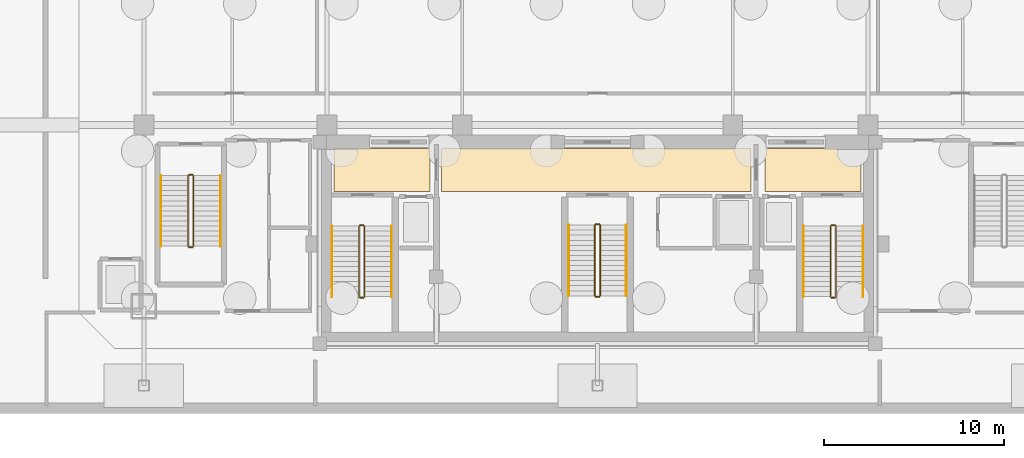
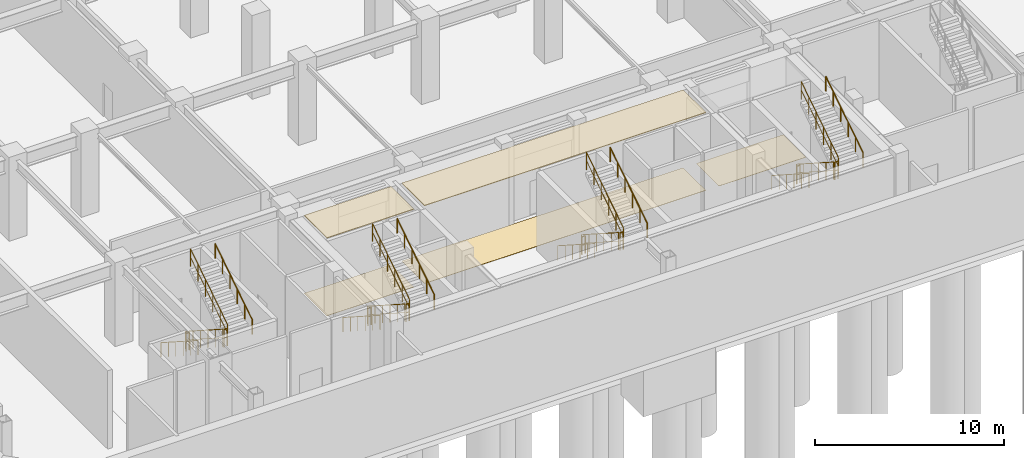
# One storey, part 8 of 10: 24 railings, 5 coverings.
"""IFC4 building model written with IfcOpenShell, lengths in metres."""

import ifcopenshell
import ifcopenshell.guid

model = None  # the IFC model being written
_history = None  # IfcOwnerHistory: only IFC2X3 demands one
_inside = {}  # id of a spatial element -> (the spatial element, [elements in it])
_under = {}  # id of a project, library or spatial element -> (it, [spatial elements below it])
_declared = {}  # id of a project -> (the project, [libraries it declares])
_typed = {}  # id of a type object -> (the type object, [elements of that type])
_made_of = {}  # id of a material, layer set ... -> (it, [elements and type objects made of it])


def new_model(schema):
    """Start an empty IFC model of exactly this schema.

    Asked for "IFC4X3", IfcOpenShell would pick the latest addendum, in which some entities
    have other attributes; the version numbers below select the first issue.
    IFC2X3 requires an IfcOwnerHistory on every rooted entity: one is made here for all.
    """
    global model, _history
    if schema == "IFC4X3":
        model = ifcopenshell.file(schema_version=(4, 3, 0, 0))
    else:
        model = ifcopenshell.file(schema=schema)
    _inside.clear()
    _under.clear()
    _declared.clear()
    _typed.clear()
    _made_of.clear()
    _history = None
    if model.schema == "IFC2X3":
        org = make("IfcOrganization", Name="unknown")
        user = make(
            "IfcPersonAndOrganization",
            ThePerson=make("IfcPerson", FamilyName="unknown"),
            TheOrganization=org,
        )
        app = make(
            "IfcApplication",
            ApplicationDeveloper=org,
            Version="unknown",
            ApplicationFullName="unknown",
            ApplicationIdentifier="unknown",
        )
        _history = make(
            "IfcOwnerHistory",
            OwningUser=user,
            OwningApplication=app,
            ChangeAction="ADDED",
            CreationDate=0,
        )
    return model


def make(cls, **values):
    """One entity of the class cls with the attributes given. An attribute that is None is left unset."""
    return model.create_entity(
        cls, **{name: value for name, value in values.items() if value is not None}
    )


def rooted(cls, **values):
    """An entity with a GlobalId (a new one), such as an element, a storey or a relation."""
    return make(cls, GlobalId=ifcopenshell.guid.new(), OwnerHistory=_history, **values)


def si_unit(unit_type, name, prefix=None):
    """IfcSIUnit, for example si_unit("LENGTHUNIT", "METRE", prefix="MILLI")."""
    return make("IfcSIUnit", UnitType=unit_type, Prefix=prefix, Name=name)


def assignment(units):
    """IfcUnitAssignment: the units of a project."""
    return None if units is None else make("IfcUnitAssignment", Units=units)


def point(xyz):
    """IfcCartesianPoint."""
    return None if xyz is None else make("IfcCartesianPoint", Coordinates=xyz)


def direction(xyz):
    """IfcDirection."""
    return None if xyz is None else make("IfcDirection", DirectionRatios=xyz)


def frame(location, z_axis=None, x_axis=None):
    """IfcAxis2Placement3D, a coordinate frame: its origin and axes. An axis left out is left unset."""
    return make(
        "IfcAxis2Placement3D",
        Location=point(location),
        Axis=direction(z_axis),
        RefDirection=direction(x_axis),
    )


def frame_2d(location, x_axis=None):
    """IfcAxis2Placement2D, a coordinate frame in the plane: its origin and x axis."""
    return make(
        "IfcAxis2Placement2D", Location=point(location), RefDirection=direction(x_axis)
    )


def origin():
    """The frame at (0, 0, 0) with its axes left unset."""
    return frame((0.0, 0.0, 0.0))


def origin_2d():
    """The frame at (0, 0) in the plane with its x axis left unset."""
    return frame_2d((0.0, 0.0))


def place(relative_to, where):
    """IfcLocalPlacement: puts the frame where relative to a parent placement (None: the world)."""
    return make(
        "IfcLocalPlacement", PlacementRelTo=relative_to, RelativePlacement=where
    )


def context(
    kind, dimensions, precision=None, world=None, true_north=None, identifier=None
):
    """IfcGeometricRepresentationContext, for example the 3D "Model" context."""
    return make(
        "IfcGeometricRepresentationContext",
        ContextIdentifier=identifier,
        ContextType=kind,
        CoordinateSpaceDimension=dimensions,
        Precision=precision,
        WorldCoordinateSystem=world,
        TrueNorth=true_north,
    )


def subcontext(parent, identifier, kind, view, scale=None):
    """IfcGeometricRepresentationSubContext, for example "Body" below "Model"."""
    return make(
        "IfcGeometricRepresentationSubContext",
        ContextIdentifier=identifier,
        ContextType=kind,
        ParentContext=parent,
        TargetScale=scale,
        TargetView=view,
    )


def project(units=None, contexts=None):
    """IfcProject with its units and contexts."""
    return rooted(
        "IfcProject",
        Name="project",
        RepresentationContexts=contexts,
        UnitsInContext=assignment(units),
    )


def spatial(cls, under=None, at=None, **own):
    """A site, building, storey or space (cls), placed at a placement, below another one or the project."""
    s = rooted(cls, ObjectPlacement=at, **own)
    if under is not None:
        _under.setdefault(under.id(), (under, []))[1].append(s)
    return s


def polyline(points):
    """IfcPolyline through the points."""
    return make("IfcPolyline", Points=[point(p) for p in points])


def profile(cls, at=None, kind="AREA", **sizes):
    """A parametric profile (cls). Its sizes go by their IFC names, for example OverallWidth=200.0."""
    return make(cls, ProfileType=kind, Position=at, **sizes)


def circle(**sizes):
    """IfcCircleProfileDef."""
    return profile("IfcCircleProfileDef", **sizes)


def outline(outer, holes=None, kind="AREA"):
    """IfcArbitraryClosedProfileDef: a profile drawn as a closed curve; with holes, ...WithVoids."""
    if holes is None:
        return make("IfcArbitraryClosedProfileDef", ProfileType=kind, OuterCurve=outer)
    return make(
        "IfcArbitraryProfileDefWithVoids",
        ProfileType=kind,
        OuterCurve=outer,
        InnerCurves=holes,
    )


def extrude(swept, where, along, depth):
    """IfcExtrudedAreaSolid: the profile swept, set in the frame where, extruded along a direction by depth."""
    return make(
        "IfcExtrudedAreaSolid",
        SweptArea=swept,
        Position=where,
        ExtrudedDirection=direction(along),
        Depth=depth,
    )


def shape(context_of_items, identifier, shape_type, items):
    """IfcShapeRepresentation: the items that make up one representation, for example the "Body"."""
    return make(
        "IfcShapeRepresentation",
        ContextOfItems=context_of_items,
        RepresentationIdentifier=identifier,
        RepresentationType=shape_type,
        Items=items,
    )


def material(Name=None, Category=None):
    """IfcMaterial."""
    return make("IfcMaterial", Name=Name, Category=Category)


def layer(
    of_material, thickness, ventilated=None, Name=None, Category=None, Priority=None
):
    """IfcMaterialLayer: one layer of a wall or slab, of a material (None: an air gap)."""
    return make(
        "IfcMaterialLayer",
        Material=of_material,
        LayerThickness=thickness,
        IsVentilated=ventilated,
        Name=Name,
        Category=Category,
        Priority=Priority,
    )


def layer_set(layers, Name=None):
    """IfcMaterialLayerSet."""
    return make("IfcMaterialLayerSet", MaterialLayers=layers, LayerSetName=Name)


def made_of(thing, what):
    """Note that an element or type object is made of a material, layer set ...; save() writes the relation."""
    if what is not None:
        _made_of.setdefault(what.id(), (what, []))[1].append(thing)
    return thing


def type_object(cls, material=None, **own):
    """A type object (cls), such as IfcWallType, which elements share."""
    return made_of(rooted(cls, **own), material)


def element(
    cls,
    number,
    at=None,
    inside=None,
    cuts=None,
    type_object=None,
    material=None,
    context=None,
    identifier="Body",
    shape_type=None,
    held_by="IfcProductDefinitionShape",
    body=None,
    shapes=None,
    **own,
):
    """One element of the class cls, such as IfcWall. Its Tag is "e" and its number.

    at: its placement. inside: the storey or other place that contains it. cuts: it is an
    opening in that element (IfcRelVoidsElement). A single representation is given by context,
    identifier, shape_type and body (its items); several are given by shapes. held_by: the class
    of the entity that holds the representations. save() writes the other relations.
    """
    e = rooted(cls, Tag="e%d" % number, ObjectPlacement=at, **own)
    if body is not None:
        shapes = [shape(context, identifier, shape_type, body)]
    if shapes is not None:
        e.Representation = make(held_by, Representations=shapes)
    if inside is not None:
        _inside.setdefault(inside.id(), (inside, []))[1].append(e)
    if cuts is not None:
        rooted(
            "IfcRelVoidsElement", RelatingBuildingElement=cuts, RelatedOpeningElement=e
        )
    if type_object is not None:
        _typed.setdefault(type_object.id(), (type_object, []))[1].append(e)
    return made_of(e, material)


def aggregate(whole, parts):
    """IfcRelAggregates: a whole, such as a stair, and the parts it consists of."""
    return rooted("IfcRelAggregates", RelatingObject=whole, RelatedObjects=parts)


def save(model, path):
    """Write the relations noted so far, then the file.

    IfcRelAggregates (storeys below a building ...), IfcRelContainedInSpatialStructure (elements
    in a storey), IfcRelDefinesByType, IfcRelAssociatesMaterial and IfcRelDeclares: one each for
    every whole, place, type object, material and project.
    """
    for whole, parts in _under.values():
        aggregate(whole, parts)
    for where, things in _inside.values():
        rooted(
            "IfcRelContainedInSpatialStructure",
            RelatedElements=things,
            RelatingStructure=where,
        )
    for kind, things in _typed.values():
        rooted("IfcRelDefinesByType", RelatedObjects=things, RelatingType=kind)
    for what, things in _made_of.values():
        rooted("IfcRelAssociatesMaterial", RelatedObjects=things, RelatingMaterial=what)
    for by, libraries in _declared.values():
        rooted("IfcRelDeclares", RelatingContext=by, RelatedDefinitions=libraries)
    model.write(path)


model = new_model("IFC4")

# Units and contexts
model_context = context("Model", 3, precision=1e-05, world=origin(), true_north=direction((0.0, 1.0)))
body_context = subcontext(model_context, "Body", "Model", "MODEL_VIEW")
ifc_project = project(units=[si_unit("LENGTHUNIT", "METRE"), si_unit("AREAUNIT", "SQUARE_METRE"), si_unit("VOLUMEUNIT", "CUBIC_METRE"), si_unit("PLANEANGLEUNIT", "RADIAN"), si_unit("MASSUNIT", "GRAM", prefix="KILO")], contexts=[model_context])

# Site, building, storey
site_placement = place(None, origin())
site = spatial("IfcSite", under=ifc_project, at=site_placement, CompositionType="ELEMENT")
building_placement = place(site_placement, origin())
building = spatial("IfcBuilding", under=site, at=building_placement, Name="Ventersveld Concourse Tower", CompositionType="ELEMENT")
storey_placement = place(building_placement, frame((0.0, 0.0, -10.800048828125)))
storey = spatial("IfcBuildingStorey", under=building, at=storey_placement, Name="B02", CompositionType="ELEMENT", Elevation=-10.800048828125)

# Coverings
ifc_material_1 = material(Name="Mineral-fibre acoustic ceiling tile", Category="gypsum")
ifc_layer_1 = layer(ifc_material_1, 0.0400390625)
ifc_layer_set_1 = layer_set([ifc_layer_1], Name="Mineral-fibre acoustic ceiling tile")
covering_type_1 = type_object("IfcCoveringType", Name="COV-CEIL-ACOUSTIC", PredefinedType="CEILING", material=ifc_layer_set_1)
covering_1_placement = place(storey_placement, frame((0.0, 0.0, 5.010009765625)))
element("IfcCovering", 1, at=covering_1_placement, inside=storey, type_object=covering_type_1, Name="B02 North Lift Lobby Acoustic Ceiling", PredefinedType="CEILING", context=body_context, shape_type="SweptSolid", body=[
    extrude(outline(polyline([(20.10009765625, 8.699951171875), (37.25, 8.699951171875), (37.25, 11.10009765625), (20.10009765625, 11.10009765625), (20.10009765625, 8.699951171875)])), origin(), (0.0, 0.0, 1.0), 0.0400390625),
])
covering_2_placement = place(storey_placement, frame((0.0, 0.0, 5.010009765625)))
element("IfcCovering", 2, at=covering_2_placement, inside=storey, type_object=covering_type_1, Name="B02 West Firefighting Lobby Acoustic Ceiling", PredefinedType="CEILING", context=body_context, shape_type="SweptSolid", body=[
    extrude(outline(polyline([(14.14990234375, 8.699951171875), (19.449951171875, 8.699951171875), (19.449951171875, 11.10009765625), (14.14990234375, 11.10009765625), (14.14990234375, 8.699951171875)])), origin(), (0.0, 0.0, 1.0), 0.0400390625),
])
ifc_material_2 = material(Name="Polished Highveld granite terrazzo", Category="masonry")
ifc_layer_2 = layer(ifc_material_2, 0.02001953125)
ifc_layer_set_2 = layer_set([ifc_layer_2], Name="Polished Highveld granite terrazzo")
covering_type_2 = type_object("IfcCoveringType", Name="COV-FLOOR-TERRAZZO", PredefinedType="FLOORING", material=ifc_layer_set_2)
covering_3_placement = place(storey_placement, origin())
element("IfcCovering", 3, at=covering_3_placement, inside=storey, type_object=covering_type_2, Name="B02 North Lift Lobby Terrazzo Flooring", PredefinedType="FLOORING", context=body_context, shape_type="SweptSolid", body=[
    extrude(outline(polyline([(20.10009765625, 8.699951171875), (37.25, 8.699951171875), (37.25, 11.10009765625), (20.10009765625, 11.10009765625), (20.10009765625, 8.699951171875)])), origin(), (0.0, 0.0, 1.0), 0.02001953125),
])
covering_4_placement = place(storey_placement, origin())
element("IfcCovering", 4, at=covering_4_placement, inside=storey, type_object=covering_type_2, Name="B02 West Firefighting Lobby Terrazzo Flooring", PredefinedType="FLOORING", context=body_context, shape_type="SweptSolid", body=[
    extrude(outline(polyline([(14.14990234375, 8.699951171875), (19.449951171875, 8.699951171875), (19.449951171875, 11.10009765625), (14.14990234375, 11.10009765625), (14.14990234375, 8.699951171875)])), origin(), (0.0, 0.0, 1.0), 0.02001953125),
])
covering_5_placement = place(storey_placement, origin())
element("IfcCovering", 5, at=covering_5_placement, inside=storey, type_object=covering_type_2, Name="B02 East Firefighting Lobby Terrazzo Flooring", PredefinedType="FLOORING", context=body_context, shape_type="SweptSolid", body=[
    extrude(outline(polyline([(38.050048828125, 8.699951171875), (43.35009765625, 8.699951171875), (43.35009765625, 11.10009765625), (38.050048828125, 11.10009765625), (38.050048828125, 8.699951171875)])), origin(), (0.0, 0.0, 1.0), 0.02001953125),
])

# Railings
ifc_material_3 = material(Name="Brushed stainless steel 316", Category="steel")
railing_type_1 = type_object("IfcRailingType", Name="GD-BAL-115", PredefinedType="GUARDRAIL", material=ifc_material_3)
railing_1_placement = place(storey_placement, frame((15.530029296875, 6.800048828125, 0.179931640625)))
element("IfcRailing", 6, at=railing_1_placement, inside=storey, type_object=railing_type_1, Name="B02 ST-01 stair guard 1", PredefinedType="GUARDRAIL", context=body_context, shape_type="SweptSolid", body=[
    extrude(circle(Radius=0.02392578125, at=origin_2d()), frame((0.0, 0.0, 1.1259765625), z_axis=(0.0, -0.841186985886, 0.540744352514), x_axis=(1.0, 0.0, 0.0)), (0.0, 0.0, 1.0), 4.660400390625),
    extrude(circle(Radius=0.01611328125, at=origin_2d()), frame((0.0, 0.0, 0.574951171875), z_axis=(0.0, -0.841186985886, 0.540744352514), x_axis=(1.0, 0.0, 0.0)), (0.0, 0.0, 1.0), 4.660400390625),
    extrude(circle(Radius=0.02099609375, at=origin_2d()), origin(), (0.0, 0.0, 1.0), 1.101806640625),
    extrude(circle(Radius=0.02099609375, at=origin_2d()), frame((0.0, -0.783935546875, 0.50390625)), (0.0, 0.0, 1.0), 1.101806640625),
    extrude(circle(Radius=0.02099609375, at=origin_2d()), frame((0.0, -1.568115234375, 1.008056640625)), (0.0, 0.0, 1.0), 1.101806640625),
    extrude(circle(Radius=0.02099609375, at=origin_2d()), frame((0.0, -2.35205078125, 1.511962890625)), (0.0, 0.0, 1.0), 1.101806640625),
    extrude(circle(Radius=0.02099609375, at=origin_2d()), frame((0.0, -3.13623046875, 2.01611328125)), (0.0, 0.0, 1.0), 1.101806640625),
    extrude(circle(Radius=0.02099609375, at=origin_2d()), frame((0.0, -3.920166015625, 2.52001953125)), (0.0, 0.0, 1.0), 1.101806640625),
])
railing_2_placement = place(storey_placement, frame((15.580078125, 2.830078125, 2.699951171875)))
element("IfcRailing", 7, at=railing_2_placement, inside=storey, type_object=railing_type_1, Name="B02 ST-01 stair guard 2", PredefinedType="GUARDRAIL", context=body_context, shape_type="SweptSolid", body=[
    extrude(circle(Radius=0.02392578125, at=origin_2d()), frame((0.0, 0.0, 1.1259765625), z_axis=(1.0, 0.0, 0.0), x_axis=(0.0, 1.0, 0.0)), (0.0, 0.0, 1.0), 0.199951171875),
    extrude(circle(Radius=0.01611328125, at=origin_2d()), frame((0.0, 0.0, 0.574951171875), z_axis=(1.0, 0.0, 0.0), x_axis=(0.0, 1.0, 0.0)), (0.0, 0.0, 1.0), 0.199951171875),
    extrude(circle(Radius=0.02099609375, at=origin_2d()), origin(), (0.0, 0.0, 1.0), 1.101806640625),
    extrude(circle(Radius=0.02099609375, at=origin_2d()), frame((0.199951171875, 0.0, 0.0)), (0.0, 0.0, 1.0), 1.101806640625),
])
railing_3_placement = place(storey_placement, frame((15.830078125, 2.8798828125, 2.880126953125)))
element("IfcRailing", 8, at=railing_3_placement, inside=storey, type_object=railing_type_1, Name="B02 ST-01 stair guard 3", PredefinedType="GUARDRAIL", context=body_context, shape_type="SweptSolid", body=[
    extrude(circle(Radius=0.02392578125, at=origin_2d()), frame((0.0, 0.0, 1.1259765625), z_axis=(0.0, 0.841186985886, 0.540744352514), x_axis=(-1.0, 0.0, 0.0)), (0.0, 0.0, 1.0), 4.660400390625),
    extrude(circle(Radius=0.01611328125, at=origin_2d()), frame((0.0, 0.0, 0.574951171875), z_axis=(0.0, 0.841186985886, 0.540744352514), x_axis=(-1.0, 0.0, 0.0)), (0.0, 0.0, 1.0), 4.660400390625),
    extrude(circle(Radius=0.02099609375, at=origin_2d()), origin(), (0.0, 0.0, 1.0), 1.101806640625),
    extrude(circle(Radius=0.02099609375, at=origin_2d()), frame((0.0, 0.783935546875, 0.50390625)), (0.0, 0.0, 1.0), 1.101806640625),
    extrude(circle(Radius=0.02099609375, at=origin_2d()), frame((0.0, 1.568115234375, 1.008056640625)), (0.0, 0.0, 1.0), 1.101806640625),
    extrude(circle(Radius=0.02099609375, at=origin_2d()), frame((0.0, 2.35205078125, 1.511962890625)), (0.0, 0.0, 1.0), 1.101806640625),
    extrude(circle(Radius=0.02099609375, at=origin_2d()), frame((0.0, 3.13623046875, 2.01611328125)), (0.0, 0.0, 1.0), 1.101806640625),
    extrude(circle(Radius=0.02099609375, at=origin_2d()), frame((0.0, 3.920166015625, 2.52001953125)), (0.0, 0.0, 1.0), 1.101806640625),
])
railing_4_placement = place(storey_placement, frame((15.580078125, 6.85009765625, 0.0)))
element("IfcRailing", 9, at=railing_4_placement, inside=storey, type_object=railing_type_1, Name="B02 ST-01 stair guard 4", PredefinedType="GUARDRAIL", context=body_context, shape_type="SweptSolid", body=[
    extrude(circle(Radius=0.02392578125, at=origin_2d()), frame((0.0, 0.0, 1.1259765625), z_axis=(1.0, 0.0, 0.0), x_axis=(0.0, 1.0, 0.0)), (0.0, 0.0, 1.0), 0.199951171875),
    extrude(circle(Radius=0.01611328125, at=origin_2d()), frame((0.0, 0.0, 0.574951171875), z_axis=(1.0, 0.0, 0.0), x_axis=(0.0, 1.0, 0.0)), (0.0, 0.0, 1.0), 0.199951171875),
    extrude(circle(Radius=0.02099609375, at=origin_2d()), origin(), (0.0, 0.0, 1.0), 1.101806640625),
    extrude(circle(Radius=0.02099609375, at=origin_2d()), frame((0.199951171875, 0.0, 0.0)), (0.0, 0.0, 1.0), 1.101806640625),
])
railing_5_placement = place(storey_placement, frame((41.669921875, 6.800048828125, 0.179931640625)))
element("IfcRailing", 10, at=railing_5_placement, inside=storey, type_object=railing_type_1, Name="B02 ST-02 stair guard 1", PredefinedType="GUARDRAIL", context=body_context, shape_type="SweptSolid", body=[
    extrude(circle(Radius=0.02392578125, at=origin_2d()), frame((0.0, 0.0, 1.1259765625), z_axis=(0.0, -0.841186985886, 0.540744352514), x_axis=(1.0, 0.0, 0.0)), (0.0, 0.0, 1.0), 4.660400390625),
    extrude(circle(Radius=0.01611328125, at=origin_2d()), frame((0.0, 0.0, 0.574951171875), z_axis=(0.0, -0.841186985886, 0.540744352514), x_axis=(1.0, 0.0, 0.0)), (0.0, 0.0, 1.0), 4.660400390625),
    extrude(circle(Radius=0.02099609375, at=origin_2d()), origin(), (0.0, 0.0, 1.0), 1.101806640625),
    extrude(circle(Radius=0.02099609375, at=origin_2d()), frame((0.0, -0.783935546875, 0.50390625)), (0.0, 0.0, 1.0), 1.101806640625),
    extrude(circle(Radius=0.02099609375, at=origin_2d()), frame((0.0, -1.568115234375, 1.008056640625)), (0.0, 0.0, 1.0), 1.101806640625),
    extrude(circle(Radius=0.02099609375, at=origin_2d()), frame((0.0, -2.35205078125, 1.511962890625)), (0.0, 0.0, 1.0), 1.101806640625),
    extrude(circle(Radius=0.02099609375, at=origin_2d()), frame((0.0, -3.13623046875, 2.01611328125)), (0.0, 0.0, 1.0), 1.101806640625),
    extrude(circle(Radius=0.02099609375, at=origin_2d()), frame((0.0, -3.920166015625, 2.52001953125)), (0.0, 0.0, 1.0), 1.101806640625),
])
railing_6_placement = place(storey_placement, frame((41.719970703125, 2.830078125, 2.699951171875)))
element("IfcRailing", 11, at=railing_6_placement, inside=storey, type_object=railing_type_1, Name="B02 ST-02 stair guard 2", PredefinedType="GUARDRAIL", context=body_context, shape_type="SweptSolid", body=[
    extrude(circle(Radius=0.02392578125, at=origin_2d()), frame((0.0, 0.0, 1.1259765625), z_axis=(1.0, 0.0, 0.0), x_axis=(0.0, 1.0, 0.0)), (0.0, 0.0, 1.0), 0.199951171875),
    extrude(circle(Radius=0.01611328125, at=origin_2d()), frame((0.0, 0.0, 0.574951171875), z_axis=(1.0, 0.0, 0.0), x_axis=(0.0, 1.0, 0.0)), (0.0, 0.0, 1.0), 0.199951171875),
    extrude(circle(Radius=0.02099609375, at=origin_2d()), origin(), (0.0, 0.0, 1.0), 1.101806640625),
    extrude(circle(Radius=0.02099609375, at=origin_2d()), frame((0.199951171875, 0.0, 0.0)), (0.0, 0.0, 1.0), 1.101806640625),
])
railing_7_placement = place(storey_placement, frame((41.969970703125, 2.8798828125, 2.880126953125)))
element("IfcRailing", 12, at=railing_7_placement, inside=storey, type_object=railing_type_1, Name="B02 ST-02 stair guard 3", PredefinedType="GUARDRAIL", context=body_context, shape_type="SweptSolid", body=[
    extrude(circle(Radius=0.02392578125, at=origin_2d()), frame((0.0, 0.0, 1.1259765625), z_axis=(0.0, 0.841186985886, 0.540744352514), x_axis=(-1.0, 0.0, 0.0)), (0.0, 0.0, 1.0), 4.660400390625),
    extrude(circle(Radius=0.01611328125, at=origin_2d()), frame((0.0, 0.0, 0.574951171875), z_axis=(0.0, 0.841186985886, 0.540744352514), x_axis=(-1.0, 0.0, 0.0)), (0.0, 0.0, 1.0), 4.660400390625),
    extrude(circle(Radius=0.02099609375, at=origin_2d()), origin(), (0.0, 0.0, 1.0), 1.101806640625),
    extrude(circle(Radius=0.02099609375, at=origin_2d()), frame((0.0, 0.783935546875, 0.50390625)), (0.0, 0.0, 1.0), 1.101806640625),
    extrude(circle(Radius=0.02099609375, at=origin_2d()), frame((0.0, 1.568115234375, 1.008056640625)), (0.0, 0.0, 1.0), 1.101806640625),
    extrude(circle(Radius=0.02099609375, at=origin_2d()), frame((0.0, 2.35205078125, 1.511962890625)), (0.0, 0.0, 1.0), 1.101806640625),
    extrude(circle(Radius=0.02099609375, at=origin_2d()), frame((0.0, 3.13623046875, 2.01611328125)), (0.0, 0.0, 1.0), 1.101806640625),
    extrude(circle(Radius=0.02099609375, at=origin_2d()), frame((0.0, 3.920166015625, 2.52001953125)), (0.0, 0.0, 1.0), 1.101806640625),
])
railing_8_placement = place(storey_placement, frame((41.719970703125, 6.85009765625, 0.0)))
element("IfcRailing", 13, at=railing_8_placement, inside=storey, type_object=railing_type_1, Name="B02 ST-02 stair guard 4", PredefinedType="GUARDRAIL", context=body_context, shape_type="SweptSolid", body=[
    extrude(circle(Radius=0.02392578125, at=origin_2d()), frame((0.0, 0.0, 1.1259765625), z_axis=(1.0, 0.0, 0.0), x_axis=(0.0, 1.0, 0.0)), (0.0, 0.0, 1.0), 0.199951171875),
    extrude(circle(Radius=0.01611328125, at=origin_2d()), frame((0.0, 0.0, 0.574951171875), z_axis=(1.0, 0.0, 0.0), x_axis=(0.0, 1.0, 0.0)), (0.0, 0.0, 1.0), 0.199951171875),
    extrude(circle(Radius=0.02099609375, at=origin_2d()), origin(), (0.0, 0.0, 1.0), 1.101806640625),
    extrude(circle(Radius=0.02099609375, at=origin_2d()), frame((0.199951171875, 0.0, 0.0)), (0.0, 0.0, 1.0), 1.101806640625),
])
railing_9_placement = place(storey_placement, frame((28.60009765625, 6.85009765625, 0.179931640625)))
element("IfcRailing", 14, at=railing_9_placement, inside=storey, type_object=railing_type_1, Name="B02 ST-03 stair guard 1", PredefinedType="GUARDRAIL", context=body_context, shape_type="SweptSolid", body=[
    extrude(circle(Radius=0.02392578125, at=origin_2d()), frame((0.0, 0.0, 1.1259765625), z_axis=(0.0, -0.841186985886, 0.540744352514), x_axis=(1.0, 0.0, 0.0)), (0.0, 0.0, 1.0), 4.660400390625),
    extrude(circle(Radius=0.01611328125, at=origin_2d()), frame((0.0, 0.0, 0.574951171875), z_axis=(0.0, -0.841186985886, 0.540744352514), x_axis=(1.0, 0.0, 0.0)), (0.0, 0.0, 1.0), 4.660400390625),
    extrude(circle(Radius=0.02099609375, at=origin_2d()), origin(), (0.0, 0.0, 1.0), 1.101806640625),
    extrude(circle(Radius=0.02099609375, at=origin_2d()), frame((0.0, -0.783935546875, 0.50390625)), (0.0, 0.0, 1.0), 1.101806640625),
    extrude(circle(Radius=0.02099609375, at=origin_2d()), frame((0.0, -1.568115234375, 1.008056640625)), (0.0, 0.0, 1.0), 1.101806640625),
    extrude(circle(Radius=0.02099609375, at=origin_2d()), frame((0.0, -2.35205078125, 1.511962890625)), (0.0, 0.0, 1.0), 1.101806640625),
    extrude(circle(Radius=0.02099609375, at=origin_2d()), frame((0.0, -3.13623046875, 2.01611328125)), (0.0, 0.0, 1.0), 1.101806640625),
    extrude(circle(Radius=0.02099609375, at=origin_2d()), frame((0.0, -3.920166015625, 2.52001953125)), (0.0, 0.0, 1.0), 1.101806640625),
])
railing_10_placement = place(storey_placement, frame((28.64990234375, 2.8798828125, 2.699951171875)))
element("IfcRailing", 15, at=railing_10_placement, inside=storey, type_object=railing_type_1, Name="B02 ST-03 stair guard 2", PredefinedType="GUARDRAIL", context=body_context, shape_type="SweptSolid", body=[
    extrude(circle(Radius=0.02392578125, at=origin_2d()), frame((0.0, 0.0, 1.1259765625), z_axis=(1.0, 0.0, 0.0), x_axis=(0.0, 1.0, 0.0)), (0.0, 0.0, 1.0), 0.2001953125),
    extrude(circle(Radius=0.01611328125, at=origin_2d()), frame((0.0, 0.0, 0.574951171875), z_axis=(1.0, 0.0, 0.0), x_axis=(0.0, 1.0, 0.0)), (0.0, 0.0, 1.0), 0.2001953125),
    extrude(circle(Radius=0.02099609375, at=origin_2d()), origin(), (0.0, 0.0, 1.0), 1.101806640625),
    extrude(circle(Radius=0.02099609375, at=origin_2d()), frame((0.2001953125, 0.0, 0.0)), (0.0, 0.0, 1.0), 1.101806640625),
])
railing_11_placement = place(storey_placement, frame((28.89990234375, 2.929931640625, 2.880126953125)))
element("IfcRailing", 16, at=railing_11_placement, inside=storey, type_object=railing_type_1, Name="B02 ST-03 stair guard 3", PredefinedType="GUARDRAIL", context=body_context, shape_type="SweptSolid", body=[
    extrude(circle(Radius=0.02392578125, at=origin_2d()), frame((0.0, 0.0, 1.1259765625), z_axis=(0.0, 0.841186985886, 0.540744352514), x_axis=(-1.0, 0.0, 0.0)), (0.0, 0.0, 1.0), 4.660400390625),
    extrude(circle(Radius=0.01611328125, at=origin_2d()), frame((0.0, 0.0, 0.574951171875), z_axis=(0.0, 0.841186985886, 0.540744352514), x_axis=(-1.0, 0.0, 0.0)), (0.0, 0.0, 1.0), 4.660400390625),
    extrude(circle(Radius=0.02099609375, at=origin_2d()), origin(), (0.0, 0.0, 1.0), 1.101806640625),
    extrude(circle(Radius=0.02099609375, at=origin_2d()), frame((0.0, 0.783935546875, 0.50390625)), (0.0, 0.0, 1.0), 1.101806640625),
    extrude(circle(Radius=0.02099609375, at=origin_2d()), frame((0.0, 1.568115234375, 1.008056640625)), (0.0, 0.0, 1.0), 1.101806640625),
    extrude(circle(Radius=0.02099609375, at=origin_2d()), frame((0.0, 2.35205078125, 1.511962890625)), (0.0, 0.0, 1.0), 1.101806640625),
    extrude(circle(Radius=0.02099609375, at=origin_2d()), frame((0.0, 3.13623046875, 2.01611328125)), (0.0, 0.0, 1.0), 1.101806640625),
    extrude(circle(Radius=0.02099609375, at=origin_2d()), frame((0.0, 3.920166015625, 2.52001953125)), (0.0, 0.0, 1.0), 1.101806640625),
])
railing_12_placement = place(storey_placement, frame((28.64990234375, 6.89990234375, 0.0)))
element("IfcRailing", 17, at=railing_12_placement, inside=storey, type_object=railing_type_1, Name="B02 ST-03 stair guard 4", PredefinedType="GUARDRAIL", context=body_context, shape_type="SweptSolid", body=[
    extrude(circle(Radius=0.02392578125, at=origin_2d()), frame((0.0, 0.0, 1.1259765625), z_axis=(1.0, 0.0, 0.0), x_axis=(0.0, 1.0, 0.0)), (0.0, 0.0, 1.0), 0.2001953125),
    extrude(circle(Radius=0.01611328125, at=origin_2d()), frame((0.0, 0.0, 0.574951171875), z_axis=(1.0, 0.0, 0.0), x_axis=(0.0, 1.0, 0.0)), (0.0, 0.0, 1.0), 0.2001953125),
    extrude(circle(Radius=0.02099609375, at=origin_2d()), origin(), (0.0, 0.0, 1.0), 1.101806640625),
    extrude(circle(Radius=0.02099609375, at=origin_2d()), frame((0.2001953125, 0.0, 0.0)), (0.0, 0.0, 1.0), 1.101806640625),
])
railing_13_placement = place(storey_placement, frame((6.050048828125, 9.60009765625, 0.179931640625)))
element("IfcRailing", 18, at=railing_13_placement, inside=storey, type_object=railing_type_1, Name="B02 ST-04 stair guard 1", PredefinedType="GUARDRAIL", context=body_context, shape_type="SweptSolid", body=[
    extrude(circle(Radius=0.02392578125, at=origin_2d()), frame((0.0, 0.0, 1.1259765625), z_axis=(0.0, -0.841186985886, 0.540744352514), x_axis=(1.0, 0.0, 0.0)), (0.0, 0.0, 1.0), 4.660400390625),
    extrude(circle(Radius=0.01611328125, at=origin_2d()), frame((0.0, 0.0, 0.574951171875), z_axis=(0.0, -0.841186985886, 0.540744352514), x_axis=(1.0, 0.0, 0.0)), (0.0, 0.0, 1.0), 4.660400390625),
    extrude(circle(Radius=0.02099609375, at=origin_2d()), origin(), (0.0, 0.0, 1.0), 1.101806640625),
    extrude(circle(Radius=0.02099609375, at=origin_2d()), frame((0.0, -0.783935546875, 0.50390625)), (0.0, 0.0, 1.0), 1.101806640625),
    extrude(circle(Radius=0.02099609375, at=origin_2d()), frame((0.0, -1.568115234375, 1.008056640625)), (0.0, 0.0, 1.0), 1.101806640625),
    extrude(circle(Radius=0.02099609375, at=origin_2d()), frame((0.0, -2.35205078125, 1.511962890625)), (0.0, 0.0, 1.0), 1.101806640625),
    extrude(circle(Radius=0.02099609375, at=origin_2d()), frame((0.0, -3.13623046875, 2.01611328125)), (0.0, 0.0, 1.0), 1.101806640625),
    extrude(circle(Radius=0.02099609375, at=origin_2d()), frame((0.0, -3.920166015625, 2.52001953125)), (0.0, 0.0, 1.0), 1.101806640625),
])
railing_14_placement = place(storey_placement, frame((6.10009765625, 5.6298828125, 2.699951171875)))
element("IfcRailing", 19, at=railing_14_placement, inside=storey, type_object=railing_type_1, Name="B02 ST-04 stair guard 2", PredefinedType="GUARDRAIL", context=body_context, shape_type="SweptSolid", body=[
    extrude(circle(Radius=0.02392578125, at=origin_2d()), frame((0.0, 0.0, 1.1259765625), z_axis=(1.0, 0.0, 0.0), x_axis=(0.0, 1.0, 0.0)), (0.0, 0.0, 1.0), 0.199951171875),
    extrude(circle(Radius=0.01611328125, at=origin_2d()), frame((0.0, 0.0, 0.574951171875), z_axis=(1.0, 0.0, 0.0), x_axis=(0.0, 1.0, 0.0)), (0.0, 0.0, 1.0), 0.199951171875),
    extrude(circle(Radius=0.02099609375, at=origin_2d()), origin(), (0.0, 0.0, 1.0), 1.101806640625),
    extrude(circle(Radius=0.02099609375, at=origin_2d()), frame((0.199951171875, 0.0, 0.0)), (0.0, 0.0, 1.0), 1.101806640625),
])
railing_15_placement = place(storey_placement, frame((6.35009765625, 5.679931640625, 2.880126953125)))
element("IfcRailing", 20, at=railing_15_placement, inside=storey, type_object=railing_type_1, Name="B02 ST-04 stair guard 3", PredefinedType="GUARDRAIL", context=body_context, shape_type="SweptSolid", body=[
    extrude(circle(Radius=0.02392578125, at=origin_2d()), frame((0.0, 0.0, 1.1259765625), z_axis=(0.0, 0.841186985886, 0.540744352514), x_axis=(-1.0, 0.0, 0.0)), (0.0, 0.0, 1.0), 4.660400390625),
    extrude(circle(Radius=0.01611328125, at=origin_2d()), frame((0.0, 0.0, 0.574951171875), z_axis=(0.0, 0.841186985886, 0.540744352514), x_axis=(-1.0, 0.0, 0.0)), (0.0, 0.0, 1.0), 4.660400390625),
    extrude(circle(Radius=0.02099609375, at=origin_2d()), origin(), (0.0, 0.0, 1.0), 1.101806640625),
    extrude(circle(Radius=0.02099609375, at=origin_2d()), frame((0.0, 0.783935546875, 0.50390625)), (0.0, 0.0, 1.0), 1.101806640625),
    extrude(circle(Radius=0.02099609375, at=origin_2d()), frame((0.0, 1.568115234375, 1.008056640625)), (0.0, 0.0, 1.0), 1.101806640625),
    extrude(circle(Radius=0.02099609375, at=origin_2d()), frame((0.0, 2.35205078125, 1.511962890625)), (0.0, 0.0, 1.0), 1.101806640625),
    extrude(circle(Radius=0.02099609375, at=origin_2d()), frame((0.0, 3.13623046875, 2.01611328125)), (0.0, 0.0, 1.0), 1.101806640625),
    extrude(circle(Radius=0.02099609375, at=origin_2d()), frame((0.0, 3.920166015625, 2.52001953125)), (0.0, 0.0, 1.0), 1.101806640625),
])
railing_16_placement = place(storey_placement, frame((6.10009765625, 9.64990234375, 0.0)))
element("IfcRailing", 21, at=railing_16_placement, inside=storey, type_object=railing_type_1, Name="B02 ST-04 stair guard 4", PredefinedType="GUARDRAIL", context=body_context, shape_type="SweptSolid", body=[
    extrude(circle(Radius=0.02392578125, at=origin_2d()), frame((0.0, 0.0, 1.1259765625), z_axis=(1.0, 0.0, 0.0), x_axis=(0.0, 1.0, 0.0)), (0.0, 0.0, 1.0), 0.199951171875),
    extrude(circle(Radius=0.01611328125, at=origin_2d()), frame((0.0, 0.0, 0.574951171875), z_axis=(1.0, 0.0, 0.0), x_axis=(0.0, 1.0, 0.0)), (0.0, 0.0, 1.0), 0.199951171875),
    extrude(circle(Radius=0.02099609375, at=origin_2d()), origin(), (0.0, 0.0, 1.0), 1.101806640625),
    extrude(circle(Radius=0.02099609375, at=origin_2d()), frame((0.199951171875, 0.0, 0.0)), (0.0, 0.0, 1.0), 1.101806640625),
])
railing_type_2 = type_object("IfcRailingType", Name="HR-RMP-095", PredefinedType="HANDRAIL", material=ifc_material_3)
railing_17_placement = place(storey_placement, frame((14.030029296875, 6.800048828125, 0.179931640625)))
element("IfcRailing", 22, at=railing_17_placement, inside=storey, type_object=railing_type_2, Name="B02 ST-01 stair handrail 1", PredefinedType="HANDRAIL", context=body_context, shape_type="SweptSolid", body=[
    extrude(circle(Radius=0.02392578125, at=origin_2d()), frame((0.0, 0.0, 0.92578125), z_axis=(0.0, -0.841186985886, 0.540744352514), x_axis=(1.0, 0.0, 0.0)), (0.0, 0.0, 1.0), 4.660400390625),
    extrude(circle(Radius=0.02099609375, at=origin_2d()), origin(), (0.0, 0.0, 1.0), 0.90185546875),
    extrude(circle(Radius=0.02099609375, at=origin_2d()), frame((0.0, -0.783935546875, 0.50390625)), (0.0, 0.0, 1.0), 0.90185546875),
    extrude(circle(Radius=0.02099609375, at=origin_2d()), frame((0.0, -1.568115234375, 1.008056640625)), (0.0, 0.0, 1.0), 0.90185546875),
    extrude(circle(Radius=0.02099609375, at=origin_2d()), frame((0.0, -2.35205078125, 1.511962890625)), (0.0, 0.0, 1.0), 0.90185546875),
    extrude(circle(Radius=0.02099609375, at=origin_2d()), frame((0.0, -3.13623046875, 2.01611328125)), (0.0, 0.0, 1.0), 0.90185546875),
    extrude(circle(Radius=0.02099609375, at=origin_2d()), frame((0.0, -3.920166015625, 2.52001953125)), (0.0, 0.0, 1.0), 0.90185546875),
])
railing_18_placement = place(storey_placement, frame((17.330078125, 2.8798828125, 2.880126953125)))
element("IfcRailing", 23, at=railing_18_placement, inside=storey, type_object=railing_type_2, Name="B02 ST-01 stair handrail 2", PredefinedType="HANDRAIL", context=body_context, shape_type="SweptSolid", body=[
    extrude(circle(Radius=0.02392578125, at=origin_2d()), frame((0.0, 0.0, 0.92578125), z_axis=(0.0, 0.841186985886, 0.540744352514), x_axis=(-1.0, 0.0, 0.0)), (0.0, 0.0, 1.0), 4.660400390625),
    extrude(circle(Radius=0.02099609375, at=origin_2d()), origin(), (0.0, 0.0, 1.0), 0.90185546875),
    extrude(circle(Radius=0.02099609375, at=origin_2d()), frame((0.0, 0.783935546875, 0.50390625)), (0.0, 0.0, 1.0), 0.90185546875),
    extrude(circle(Radius=0.02099609375, at=origin_2d()), frame((0.0, 1.568115234375, 1.008056640625)), (0.0, 0.0, 1.0), 0.90185546875),
    extrude(circle(Radius=0.02099609375, at=origin_2d()), frame((0.0, 2.35205078125, 1.511962890625)), (0.0, 0.0, 1.0), 0.90185546875),
    extrude(circle(Radius=0.02099609375, at=origin_2d()), frame((0.0, 3.13623046875, 2.01611328125)), (0.0, 0.0, 1.0), 0.90185546875),
    extrude(circle(Radius=0.02099609375, at=origin_2d()), frame((0.0, 3.920166015625, 2.52001953125)), (0.0, 0.0, 1.0), 0.90185546875),
])
railing_19_placement = place(storey_placement, frame((40.169921875, 6.800048828125, 0.179931640625)))
element("IfcRailing", 24, at=railing_19_placement, inside=storey, type_object=railing_type_2, Name="B02 ST-02 stair handrail 1", PredefinedType="HANDRAIL", context=body_context, shape_type="SweptSolid", body=[
    extrude(circle(Radius=0.02392578125, at=origin_2d()), frame((0.0, 0.0, 0.92578125), z_axis=(0.0, -0.841186985886, 0.540744352514), x_axis=(1.0, 0.0, 0.0)), (0.0, 0.0, 1.0), 4.660400390625),
    extrude(circle(Radius=0.02099609375, at=origin_2d()), origin(), (0.0, 0.0, 1.0), 0.90185546875),
    extrude(circle(Radius=0.02099609375, at=origin_2d()), frame((0.0, -0.783935546875, 0.50390625)), (0.0, 0.0, 1.0), 0.90185546875),
    extrude(circle(Radius=0.02099609375, at=origin_2d()), frame((0.0, -1.568115234375, 1.008056640625)), (0.0, 0.0, 1.0), 0.90185546875),
    extrude(circle(Radius=0.02099609375, at=origin_2d()), frame((0.0, -2.35205078125, 1.511962890625)), (0.0, 0.0, 1.0), 0.90185546875),
    extrude(circle(Radius=0.02099609375, at=origin_2d()), frame((0.0, -3.13623046875, 2.01611328125)), (0.0, 0.0, 1.0), 0.90185546875),
    extrude(circle(Radius=0.02099609375, at=origin_2d()), frame((0.0, -3.920166015625, 2.52001953125)), (0.0, 0.0, 1.0), 0.90185546875),
])
railing_20_placement = place(storey_placement, frame((43.469970703125, 2.8798828125, 2.880126953125)))
element("IfcRailing", 25, at=railing_20_placement, inside=storey, type_object=railing_type_2, Name="B02 ST-02 stair handrail 2", PredefinedType="HANDRAIL", context=body_context, shape_type="SweptSolid", body=[
    extrude(circle(Radius=0.02392578125, at=origin_2d()), frame((0.0, 0.0, 0.92578125), z_axis=(0.0, 0.841186985886, 0.540744352514), x_axis=(-1.0, 0.0, 0.0)), (0.0, 0.0, 1.0), 4.660400390625),
    extrude(circle(Radius=0.02099609375, at=origin_2d()), origin(), (0.0, 0.0, 1.0), 0.90185546875),
    extrude(circle(Radius=0.02099609375, at=origin_2d()), frame((0.0, 0.783935546875, 0.50390625)), (0.0, 0.0, 1.0), 0.90185546875),
    extrude(circle(Radius=0.02099609375, at=origin_2d()), frame((0.0, 1.568115234375, 1.008056640625)), (0.0, 0.0, 1.0), 0.90185546875),
    extrude(circle(Radius=0.02099609375, at=origin_2d()), frame((0.0, 2.35205078125, 1.511962890625)), (0.0, 0.0, 1.0), 0.90185546875),
    extrude(circle(Radius=0.02099609375, at=origin_2d()), frame((0.0, 3.13623046875, 2.01611328125)), (0.0, 0.0, 1.0), 0.90185546875),
    extrude(circle(Radius=0.02099609375, at=origin_2d()), frame((0.0, 3.920166015625, 2.52001953125)), (0.0, 0.0, 1.0), 0.90185546875),
])
railing_21_placement = place(storey_placement, frame((27.14990234375, 6.85009765625, 0.179931640625)))
element("IfcRailing", 26, at=railing_21_placement, inside=storey, type_object=railing_type_2, Name="B02 ST-03 stair handrail 1", PredefinedType="HANDRAIL", context=body_context, shape_type="SweptSolid", body=[
    extrude(circle(Radius=0.02392578125, at=origin_2d()), frame((0.0, 0.0, 0.92578125), z_axis=(0.0, -0.841186985886, 0.540744352514), x_axis=(1.0, 0.0, 0.0)), (0.0, 0.0, 1.0), 4.660400390625),
    extrude(circle(Radius=0.02099609375, at=origin_2d()), origin(), (0.0, 0.0, 1.0), 0.90185546875),
    extrude(circle(Radius=0.02099609375, at=origin_2d()), frame((0.0, -0.783935546875, 0.50390625)), (0.0, 0.0, 1.0), 0.90185546875),
    extrude(circle(Radius=0.02099609375, at=origin_2d()), frame((0.0, -1.568115234375, 1.008056640625)), (0.0, 0.0, 1.0), 0.90185546875),
    extrude(circle(Radius=0.02099609375, at=origin_2d()), frame((0.0, -2.35205078125, 1.511962890625)), (0.0, 0.0, 1.0), 0.90185546875),
    extrude(circle(Radius=0.02099609375, at=origin_2d()), frame((0.0, -3.13623046875, 2.01611328125)), (0.0, 0.0, 1.0), 0.90185546875),
    extrude(circle(Radius=0.02099609375, at=origin_2d()), frame((0.0, -3.920166015625, 2.52001953125)), (0.0, 0.0, 1.0), 0.90185546875),
])
railing_22_placement = place(storey_placement, frame((30.35009765625, 2.929931640625, 2.880126953125)))
element("IfcRailing", 27, at=railing_22_placement, inside=storey, type_object=railing_type_2, Name="B02 ST-03 stair handrail 2", PredefinedType="HANDRAIL", context=body_context, shape_type="SweptSolid", body=[
    extrude(circle(Radius=0.02392578125, at=origin_2d()), frame((0.0, 0.0, 0.92578125), z_axis=(0.0, 0.841186985886, 0.540744352514), x_axis=(-1.0, 0.0, 0.0)), (0.0, 0.0, 1.0), 4.660400390625),
    extrude(circle(Radius=0.02099609375, at=origin_2d()), origin(), (0.0, 0.0, 1.0), 0.90185546875),
    extrude(circle(Radius=0.02099609375, at=origin_2d()), frame((0.0, 0.783935546875, 0.50390625)), (0.0, 0.0, 1.0), 0.90185546875),
    extrude(circle(Radius=0.02099609375, at=origin_2d()), frame((0.0, 1.568115234375, 1.008056640625)), (0.0, 0.0, 1.0), 0.90185546875),
    extrude(circle(Radius=0.02099609375, at=origin_2d()), frame((0.0, 2.35205078125, 1.511962890625)), (0.0, 0.0, 1.0), 0.90185546875),
    extrude(circle(Radius=0.02099609375, at=origin_2d()), frame((0.0, 3.13623046875, 2.01611328125)), (0.0, 0.0, 1.0), 0.90185546875),
    extrude(circle(Radius=0.02099609375, at=origin_2d()), frame((0.0, 3.920166015625, 2.52001953125)), (0.0, 0.0, 1.0), 0.90185546875),
])
railing_23_placement = place(storey_placement, frame((4.550048828125, 9.60009765625, 0.179931640625)))
element("IfcRailing", 28, at=railing_23_placement, inside=storey, type_object=railing_type_2, Name="B02 ST-04 stair handrail 1", PredefinedType="HANDRAIL", context=body_context, shape_type="SweptSolid", body=[
    extrude(circle(Radius=0.02392578125, at=origin_2d()), frame((0.0, 0.0, 0.92578125), z_axis=(0.0, -0.841186985886, 0.540744352514), x_axis=(1.0, 0.0, 0.0)), (0.0, 0.0, 1.0), 4.660400390625),
    extrude(circle(Radius=0.02099609375, at=origin_2d()), origin(), (0.0, 0.0, 1.0), 0.90185546875),
    extrude(circle(Radius=0.02099609375, at=origin_2d()), frame((0.0, -0.783935546875, 0.50390625)), (0.0, 0.0, 1.0), 0.90185546875),
    extrude(circle(Radius=0.02099609375, at=origin_2d()), frame((0.0, -1.568115234375, 1.008056640625)), (0.0, 0.0, 1.0), 0.90185546875),
    extrude(circle(Radius=0.02099609375, at=origin_2d()), frame((0.0, -2.35205078125, 1.511962890625)), (0.0, 0.0, 1.0), 0.90185546875),
    extrude(circle(Radius=0.02099609375, at=origin_2d()), frame((0.0, -3.13623046875, 2.01611328125)), (0.0, 0.0, 1.0), 0.90185546875),
    extrude(circle(Radius=0.02099609375, at=origin_2d()), frame((0.0, -3.920166015625, 2.52001953125)), (0.0, 0.0, 1.0), 0.90185546875),
])
railing_24_placement = place(storey_placement, frame((7.85009765625, 5.679931640625, 2.880126953125)))
element("IfcRailing", 29, at=railing_24_placement, inside=storey, type_object=railing_type_2, Name="B02 ST-04 stair handrail 2", PredefinedType="HANDRAIL", context=body_context, shape_type="SweptSolid", body=[
    extrude(circle(Radius=0.02392578125, at=origin_2d()), frame((0.0, 0.0, 0.92578125), z_axis=(0.0, 0.841186985886, 0.540744352514), x_axis=(-1.0, 0.0, 0.0)), (0.0, 0.0, 1.0), 4.660400390625),
    extrude(circle(Radius=0.02099609375, at=origin_2d()), origin(), (0.0, 0.0, 1.0), 0.90185546875),
    extrude(circle(Radius=0.02099609375, at=origin_2d()), frame((0.0, 0.783935546875, 0.50390625)), (0.0, 0.0, 1.0), 0.90185546875),
    extrude(circle(Radius=0.02099609375, at=origin_2d()), frame((0.0, 1.568115234375, 1.008056640625)), (0.0, 0.0, 1.0), 0.90185546875),
    extrude(circle(Radius=0.02099609375, at=origin_2d()), frame((0.0, 2.35205078125, 1.511962890625)), (0.0, 0.0, 1.0), 0.90185546875),
    extrude(circle(Radius=0.02099609375, at=origin_2d()), frame((0.0, 3.13623046875, 2.01611328125)), (0.0, 0.0, 1.0), 0.90185546875),
    extrude(circle(Radius=0.02099609375, at=origin_2d()), frame((0.0, 3.920166015625, 2.52001953125)), (0.0, 0.0, 1.0), 0.90185546875),
])

save(model, "model.ifc")
